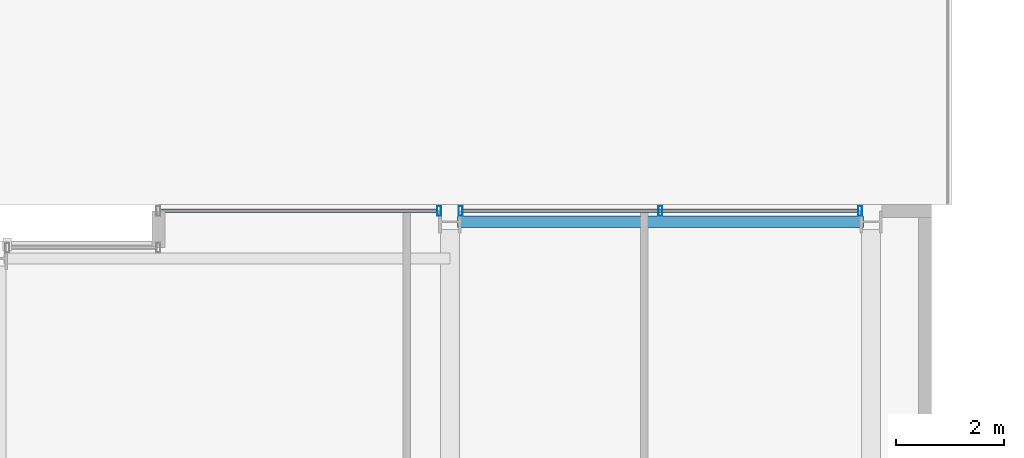
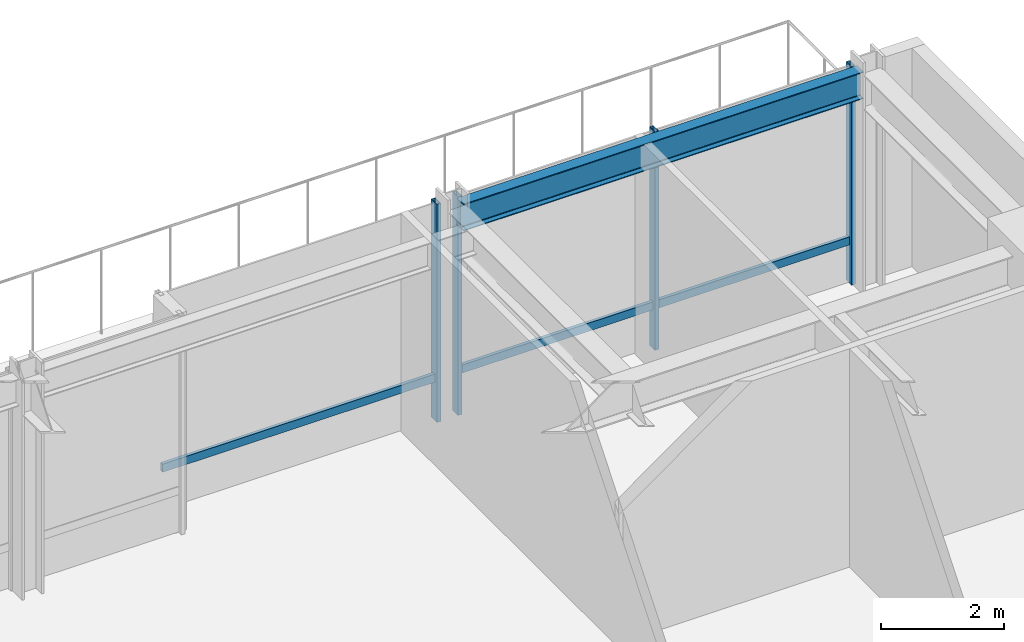
# One storey, part 25 of 32: 6 members, 1 beam, 2 elements without a shape of their own.
"""IFC4 building model written with IfcOpenShell, lengths in metres."""

from ifc_helpers import new_model, si_unit, direction, frame, origin, origin_2d, place, context, subcontext, project, spatial, hollow_rectangle, i_section, extrude, material, layer, layer_set, material_profile, profile_set, type_object, element, aggregate, save


model = new_model("IFC4")

# Units and contexts
model_context = context("Model", 3, precision=1e-05, world=origin(), true_north=direction((0.0, 1.0)))
body_context = subcontext(model_context, "Body", "Model", "MODEL_VIEW")
ifc_project = project(units=[si_unit("LENGTHUNIT", "METRE"), si_unit("AREAUNIT", "SQUARE_METRE"), si_unit("VOLUMEUNIT", "CUBIC_METRE"), si_unit("PLANEANGLEUNIT", "RADIAN"), si_unit("MASSUNIT", "GRAM", prefix="KILO")], contexts=[model_context])

# Site, building, storey
site_placement = place(None, origin())
site = spatial("IfcSite", under=ifc_project, at=site_placement, CompositionType="ELEMENT")
building_placement = place(site_placement, origin())
building = spatial("IfcBuilding", under=site, at=building_placement, Name="Drelvath Grand Hotel", CompositionType="ELEMENT")
storey_placement = place(building_placement, frame((0.0, 0.0, 145.800048828125)))
storey = spatial("IfcBuildingStorey", under=building, at=storey_placement, Name="L37", CompositionType="ELEMENT", Elevation=145.800048828125)

# Curtain wall, member
ifc_material_1 = material(Name="Brushed Pale-Silver Anodised Aluminium Frame", Category="aluminium")
ifc_layer = layer(ifc_material_1, 0.199951171875)
ifc_layer_set = layer_set([ifc_layer], Name="Brushed Pale-Silver Anodised Aluminium Frame")
curtain_wall_type = type_object("IfcCurtainWallType", Name="Stick Curtain Wall CW-04 Brushed Silver Upper-Mid", PredefinedType="NOTDEFINED", material=ifc_layer_set)
curtain_wall_1_placement = place(storey_placement, origin())
curtain_wall_1 = element("IfcCurtainWall", 1, at=curtain_wall_1_placement, inside=storey, type_object=curtain_wall_type, Name="L37 CW-04 Curtain Wall CW04-L37-NE1", PredefinedType="NOTDEFINED")
ifc_material_profile_1 = material_profile(ifc_material_1, hollow_rectangle(XDim=0.06494140625, YDim=0.159912109375, WallThickness=0.00390625, at=origin_2d()), Name="HSS160X65X4")
ifc_profile_set_1 = profile_set([ifc_material_profile_1], Name="Brushed Pale-Silver Anodised Aluminium Frame")
member_type_1 = type_object("IfcMemberType", Name="Curtain Wall Horizontal Transom CW-04 HSS160X65X4", PredefinedType="USERDEFINED", material=ifc_profile_set_1)
member_1_placement = place(storey_placement, frame((3.0400390625, 49.080078125, 0.849853515625), z_axis=(1.0, 0.0, 0.0), x_axis=(0.0, 1.0, 0.0)))
member_1 = element("IfcMember", 2, at=member_1_placement, type_object=member_type_1, Name="CW04-L37-NE1 Sill Transom", ObjectType="TRANSOM", PredefinedType="USERDEFINED", context=body_context, shape_type="SweptSolid", body=[
    extrude(hollow_rectangle(XDim=0.06494140625, YDim=0.159912109375, WallThickness=0.00390625, at=origin_2d()), origin(), (0.0, 0.0, 1.0), 5.119873046875),
])

curtain_wall_2_placement = place(storey_placement, origin())
curtain_wall_2 = element("IfcCurtainWall", 3, at=curtain_wall_2_placement, inside=storey, type_object=curtain_wall_type, Name="L37 CW-04 Curtain Wall CW04-L37-NE2", PredefinedType="NOTDEFINED")
member_2_placement = place(storey_placement, frame((8.64013671875, 49.080078125, 0.849853515625), z_axis=(1.0, 0.0, 0.0), x_axis=(0.0, 1.0, 0.0)))
member_2 = element("IfcMember", 4, at=member_2_placement, type_object=member_type_1, Name="CW04-L37-NE2 Sill Transom", ObjectType="TRANSOM", PredefinedType="USERDEFINED", context=body_context, shape_type="SweptSolid", body=[
    extrude(hollow_rectangle(XDim=0.06494140625, YDim=0.159912109375, WallThickness=0.00390625, at=origin_2d()), origin(), (0.0, 0.0, 1.0), 7.31982421875),
])

# Member
ifc_material_profile_2 = material_profile(ifc_material_1, hollow_rectangle(XDim=0.074951171875, YDim=0.179931640625, WallThickness=0.0048828125, at=origin_2d()), Name="HSS180X75X5")
ifc_profile_set_2 = profile_set([ifc_material_profile_2], Name="Brushed Pale-Silver Anodised Aluminium Frame")
member_type_2 = type_object("IfcMemberType", Name="Curtain Wall Vertical Mullion CW-04 HSS180X75X5", PredefinedType="MULLION", material=ifc_profile_set_2)
member_3_placement = place(storey_placement, frame((8.199951171875, 49.080078125, 0.0), z_axis=(0.0, 0.0, 1.0), x_axis=(1.0, 0.0, 0.0)))
member_3 = element("IfcMember", 5, at=member_3_placement, type_object=member_type_2, Name="CW04-L37-NE1 Mullion 2", PredefinedType="MULLION", context=body_context, shape_type="SweptSolid", body=[
    extrude(hollow_rectangle(XDim=0.074951171875, YDim=0.179931640625, WallThickness=0.0048828125, at=origin_2d()), origin(), (0.0, 0.0, 1.0), 4.33984375),
])

aggregate(curtain_wall_1, [member_3, member_1])

member_4_placement = place(storey_placement, frame((8.60009765625, 49.080078125, 0.0), z_axis=(0.0, 0.0, 1.0), x_axis=(1.0, 0.0, 0.0)))
member_4 = element("IfcMember", 6, at=member_4_placement, type_object=member_type_2, Name="CW04-L37-NE2 Mullion 1", PredefinedType="MULLION", context=body_context, shape_type="SweptSolid", body=[
    extrude(hollow_rectangle(XDim=0.074951171875, YDim=0.179931640625, WallThickness=0.0048828125, at=origin_2d()), origin(), (0.0, 0.0, 1.0), 4.33984375),
])

member_5_placement = place(storey_placement, frame((12.300048828125, 49.080078125, 0.0), z_axis=(0.0, 0.0, 1.0), x_axis=(1.0, 0.0, 0.0)))
member_5 = element("IfcMember", 7, at=member_5_placement, type_object=member_type_2, Name="CW04-L37-NE2 Mullion 2", PredefinedType="MULLION", context=body_context, shape_type="SweptSolid", body=[
    extrude(hollow_rectangle(XDim=0.074951171875, YDim=0.179931640625, WallThickness=0.0048828125, at=origin_2d()), origin(), (0.0, 0.0, 1.0), 4.33984375),
])

member_6_placement = place(storey_placement, frame((16.0, 49.080078125, 0.0), z_axis=(0.0, 0.0, 1.0), x_axis=(1.0, 0.0, 0.0)))
member_6 = element("IfcMember", 8, at=member_6_placement, type_object=member_type_2, Name="CW04-L37-NE2 Mullion 3", PredefinedType="MULLION", context=body_context, shape_type="SweptSolid", body=[
    extrude(hollow_rectangle(XDim=0.074951171875, YDim=0.179931640625, WallThickness=0.0048828125, at=origin_2d()), origin(), (0.0, 0.0, 1.0), 4.33984375),
])

aggregate(curtain_wall_2, [member_4, member_5, member_6, member_2])

# Beam
ifc_material_2 = material(Name="Steel ASTM A992 Gr 50", Category="steel")
ifc_material_profile_3 = material_profile(ifc_material_2, i_section(OverallWidth=0.210205078125, OverallDepth=0.53662109375, WebThickness=0.010986328125, FlangeThickness=0.017333984375, FilletRadius=0.01806640625, at=origin_2d()), Name="W21X68")
ifc_profile_set_3 = profile_set([ifc_material_profile_3], Name="Steel ASTM A992 Gr 50")
beam_type = type_object("IfcBeamType", Name="Perimeter Spandrel Beam W21X68", PredefinedType="SPANDREL", material=ifc_profile_set_3)
beam_placement = place(storey_placement, frame((8.5400390625, 48.8798828125, 4.071533203125), z_axis=(1.0, 0.0, 0.0), x_axis=(0.0, 1.0, 0.0)))
element("IfcBeam", 9, at=beam_placement, inside=storey, type_object=beam_type, Name="L37 Spandrel North E", PredefinedType="SPANDREL", context=body_context, shape_type="SweptSolid", body=[
    extrude(i_section(OverallWidth=0.210205078125, OverallDepth=0.53662109375, WebThickness=0.010986328125, FlangeThickness=0.017333984375, FilletRadius=0.01806640625, at=origin_2d()), origin(), (0.0, 0.0, 1.0), 7.52001953125),
])

save(model, "model.ifc")
